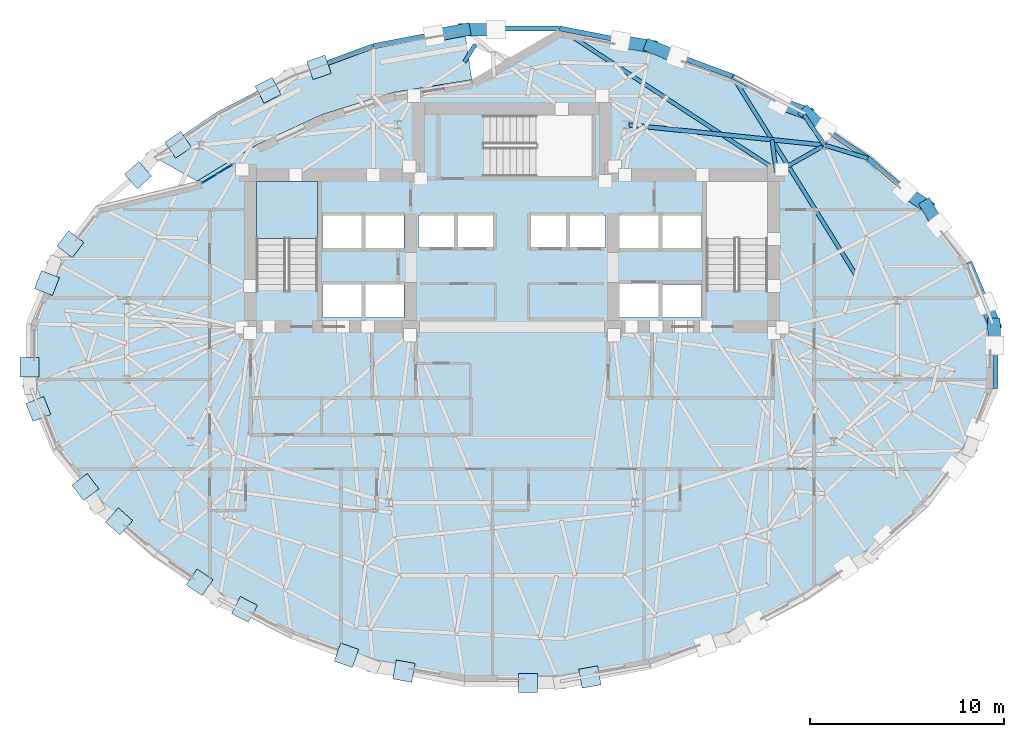
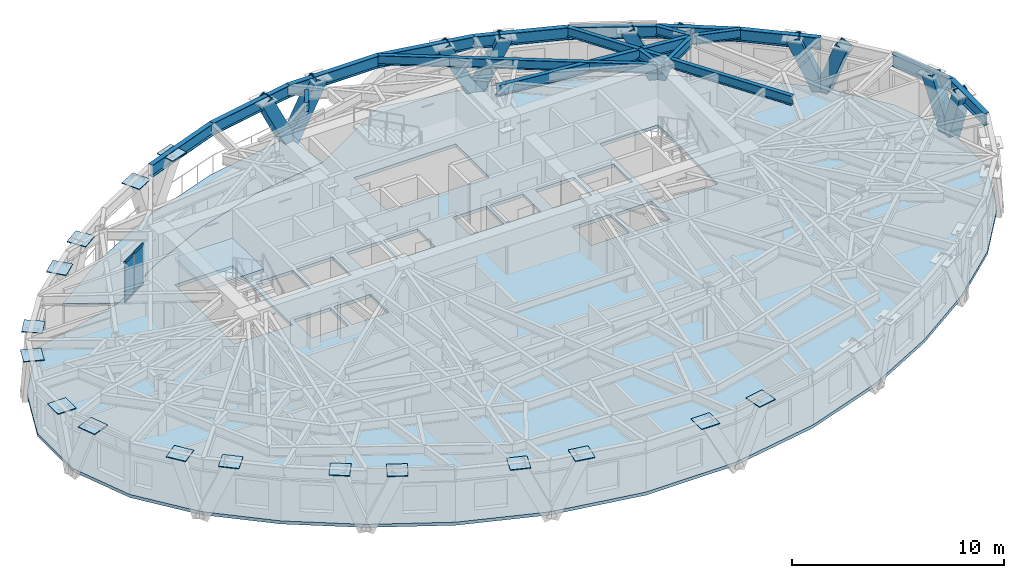
# One storey, part 5 of 14: 18 beams, 18 plates, 14 members, 3 slabs, 2 elements without a shape of their own.
"""IFC4 building model written with IfcOpenShell, lengths in metres."""

import ifcopenshell
import ifcopenshell.guid

model = None  # the IFC model being written
_history = None  # IfcOwnerHistory: only IFC2X3 demands one
_inside = {}  # id of a spatial element -> (the spatial element, [elements in it])
_under = {}  # id of a project, library or spatial element -> (it, [spatial elements below it])
_declared = {}  # id of a project -> (the project, [libraries it declares])
_typed = {}  # id of a type object -> (the type object, [elements of that type])
_made_of = {}  # id of a material, layer set ... -> (it, [elements and type objects made of it])


def new_model(schema):
    """Start an empty IFC model of exactly this schema.

    Asked for "IFC4X3", IfcOpenShell would pick the latest addendum, in which some entities
    have other attributes; the version numbers below select the first issue.
    IFC2X3 requires an IfcOwnerHistory on every rooted entity: one is made here for all.
    """
    global model, _history
    if schema == "IFC4X3":
        model = ifcopenshell.file(schema_version=(4, 3, 0, 0))
    else:
        model = ifcopenshell.file(schema=schema)
    _inside.clear()
    _under.clear()
    _declared.clear()
    _typed.clear()
    _made_of.clear()
    _history = None
    if model.schema == "IFC2X3":
        org = make("IfcOrganization", Name="unknown")
        user = make(
            "IfcPersonAndOrganization",
            ThePerson=make("IfcPerson", FamilyName="unknown"),
            TheOrganization=org,
        )
        app = make(
            "IfcApplication",
            ApplicationDeveloper=org,
            Version="unknown",
            ApplicationFullName="unknown",
            ApplicationIdentifier="unknown",
        )
        _history = make(
            "IfcOwnerHistory",
            OwningUser=user,
            OwningApplication=app,
            ChangeAction="ADDED",
            CreationDate=0,
        )
    return model


def make(cls, **values):
    """One entity of the class cls with the attributes given. An attribute that is None is left unset."""
    return model.create_entity(
        cls, **{name: value for name, value in values.items() if value is not None}
    )


def rooted(cls, **values):
    """An entity with a GlobalId (a new one), such as an element, a storey or a relation."""
    return make(cls, GlobalId=ifcopenshell.guid.new(), OwnerHistory=_history, **values)


def si_unit(unit_type, name, prefix=None):
    """IfcSIUnit, for example si_unit("LENGTHUNIT", "METRE", prefix="MILLI")."""
    return make("IfcSIUnit", UnitType=unit_type, Prefix=prefix, Name=name)


def assignment(units):
    """IfcUnitAssignment: the units of a project."""
    return None if units is None else make("IfcUnitAssignment", Units=units)


def point(xyz):
    """IfcCartesianPoint."""
    return None if xyz is None else make("IfcCartesianPoint", Coordinates=xyz)


def direction(xyz):
    """IfcDirection."""
    return None if xyz is None else make("IfcDirection", DirectionRatios=xyz)


def frame(location, z_axis=None, x_axis=None):
    """IfcAxis2Placement3D, a coordinate frame: its origin and axes. An axis left out is left unset."""
    return make(
        "IfcAxis2Placement3D",
        Location=point(location),
        Axis=direction(z_axis),
        RefDirection=direction(x_axis),
    )


def frame_2d(location, x_axis=None):
    """IfcAxis2Placement2D, a coordinate frame in the plane: its origin and x axis."""
    return make(
        "IfcAxis2Placement2D", Location=point(location), RefDirection=direction(x_axis)
    )


def origin():
    """The frame at (0, 0, 0) with its axes left unset."""
    return frame((0.0, 0.0, 0.0))


def origin_2d():
    """The frame at (0, 0) in the plane with its x axis left unset."""
    return frame_2d((0.0, 0.0))


def place(relative_to, where):
    """IfcLocalPlacement: puts the frame where relative to a parent placement (None: the world)."""
    return make(
        "IfcLocalPlacement", PlacementRelTo=relative_to, RelativePlacement=where
    )


def context(
    kind, dimensions, precision=None, world=None, true_north=None, identifier=None
):
    """IfcGeometricRepresentationContext, for example the 3D "Model" context."""
    return make(
        "IfcGeometricRepresentationContext",
        ContextIdentifier=identifier,
        ContextType=kind,
        CoordinateSpaceDimension=dimensions,
        Precision=precision,
        WorldCoordinateSystem=world,
        TrueNorth=true_north,
    )


def subcontext(parent, identifier, kind, view, scale=None):
    """IfcGeometricRepresentationSubContext, for example "Body" below "Model"."""
    return make(
        "IfcGeometricRepresentationSubContext",
        ContextIdentifier=identifier,
        ContextType=kind,
        ParentContext=parent,
        TargetScale=scale,
        TargetView=view,
    )


def project(units=None, contexts=None):
    """IfcProject with its units and contexts."""
    return rooted(
        "IfcProject",
        Name="project",
        RepresentationContexts=contexts,
        UnitsInContext=assignment(units),
    )


def spatial(cls, under=None, at=None, **own):
    """A site, building, storey or space (cls), placed at a placement, below another one or the project."""
    s = rooted(cls, ObjectPlacement=at, **own)
    if under is not None:
        _under.setdefault(under.id(), (under, []))[1].append(s)
    return s


def polyline(points):
    """IfcPolyline through the points."""
    return make("IfcPolyline", Points=[point(p) for p in points])


def profile(cls, at=None, kind="AREA", **sizes):
    """A parametric profile (cls). Its sizes go by their IFC names, for example OverallWidth=200.0."""
    return make(cls, ProfileType=kind, Position=at, **sizes)


def rectangle(**sizes):
    """IfcRectangleProfileDef."""
    return profile("IfcRectangleProfileDef", **sizes)


def hollow_rectangle(**sizes):
    """IfcRectangleHollowProfileDef."""
    return profile("IfcRectangleHollowProfileDef", **sizes)


def i_section(**sizes):
    """IfcIShapeProfileDef."""
    return profile("IfcIShapeProfileDef", **sizes)


def outline(outer, holes=None, kind="AREA"):
    """IfcArbitraryClosedProfileDef: a profile drawn as a closed curve; with holes, ...WithVoids."""
    if holes is None:
        return make("IfcArbitraryClosedProfileDef", ProfileType=kind, OuterCurve=outer)
    return make(
        "IfcArbitraryProfileDefWithVoids",
        ProfileType=kind,
        OuterCurve=outer,
        InnerCurves=holes,
    )


def extrude(swept, where, along, depth):
    """IfcExtrudedAreaSolid: the profile swept, set in the frame where, extruded along a direction by depth."""
    return make(
        "IfcExtrudedAreaSolid",
        SweptArea=swept,
        Position=where,
        ExtrudedDirection=direction(along),
        Depth=depth,
    )


def shape(context_of_items, identifier, shape_type, items):
    """IfcShapeRepresentation: the items that make up one representation, for example the "Body"."""
    return make(
        "IfcShapeRepresentation",
        ContextOfItems=context_of_items,
        RepresentationIdentifier=identifier,
        RepresentationType=shape_type,
        Items=items,
    )


def material(Name=None, Category=None):
    """IfcMaterial."""
    return make("IfcMaterial", Name=Name, Category=Category)


def layer(
    of_material, thickness, ventilated=None, Name=None, Category=None, Priority=None
):
    """IfcMaterialLayer: one layer of a wall or slab, of a material (None: an air gap)."""
    return make(
        "IfcMaterialLayer",
        Material=of_material,
        LayerThickness=thickness,
        IsVentilated=ventilated,
        Name=Name,
        Category=Category,
        Priority=Priority,
    )


def layer_set(layers, Name=None):
    """IfcMaterialLayerSet."""
    return make("IfcMaterialLayerSet", MaterialLayers=layers, LayerSetName=Name)


def material_profile(
    of_material, cross_section, Name=None, Category=None, Priority=None
):
    """IfcMaterialProfile: a cross section and its material."""
    return make(
        "IfcMaterialProfile",
        Name=Name,
        Material=of_material,
        Profile=cross_section,
        Priority=Priority,
        Category=Category,
    )


def profile_set(profiles, Name=None, composite=None):
    """IfcMaterialProfileSet."""
    return make(
        "IfcMaterialProfileSet",
        Name=Name,
        MaterialProfiles=profiles,
        CompositeProfile=composite,
    )


def made_of(thing, what):
    """Note that an element or type object is made of a material, layer set ...; save() writes the relation."""
    if what is not None:
        _made_of.setdefault(what.id(), (what, []))[1].append(thing)
    return thing


def type_object(cls, material=None, **own):
    """A type object (cls), such as IfcWallType, which elements share."""
    return made_of(rooted(cls, **own), material)


def element(
    cls,
    number,
    at=None,
    inside=None,
    cuts=None,
    type_object=None,
    material=None,
    context=None,
    identifier="Body",
    shape_type=None,
    held_by="IfcProductDefinitionShape",
    body=None,
    shapes=None,
    **own,
):
    """One element of the class cls, such as IfcWall. Its Tag is "e" and its number.

    at: its placement. inside: the storey or other place that contains it. cuts: it is an
    opening in that element (IfcRelVoidsElement). A single representation is given by context,
    identifier, shape_type and body (its items); several are given by shapes. held_by: the class
    of the entity that holds the representations. save() writes the other relations.
    """
    e = rooted(cls, Tag="e%d" % number, ObjectPlacement=at, **own)
    if body is not None:
        shapes = [shape(context, identifier, shape_type, body)]
    if shapes is not None:
        e.Representation = make(held_by, Representations=shapes)
    if inside is not None:
        _inside.setdefault(inside.id(), (inside, []))[1].append(e)
    if cuts is not None:
        rooted(
            "IfcRelVoidsElement", RelatingBuildingElement=cuts, RelatedOpeningElement=e
        )
    if type_object is not None:
        _typed.setdefault(type_object.id(), (type_object, []))[1].append(e)
    return made_of(e, material)


def aggregate(whole, parts):
    """IfcRelAggregates: a whole, such as a stair, and the parts it consists of."""
    return rooted("IfcRelAggregates", RelatingObject=whole, RelatedObjects=parts)


def save(model, path):
    """Write the relations noted so far, then the file.

    IfcRelAggregates (storeys below a building ...), IfcRelContainedInSpatialStructure (elements
    in a storey), IfcRelDefinesByType, IfcRelAssociatesMaterial and IfcRelDeclares: one each for
    every whole, place, type object, material and project.
    """
    for whole, parts in _under.values():
        aggregate(whole, parts)
    for where, things in _inside.values():
        rooted(
            "IfcRelContainedInSpatialStructure",
            RelatedElements=things,
            RelatingStructure=where,
        )
    for kind, things in _typed.values():
        rooted("IfcRelDefinesByType", RelatedObjects=things, RelatingType=kind)
    for what, things in _made_of.values():
        rooted("IfcRelAssociatesMaterial", RelatedObjects=things, RelatingMaterial=what)
    for by, libraries in _declared.values():
        rooted("IfcRelDeclares", RelatingContext=by, RelatedDefinitions=libraries)
    model.write(path)


model = new_model("IFC4")

# Units and contexts
model_context = context("Model", 3, precision=1e-05, world=origin(), true_north=direction((0.0, 1.0)))
body_context = subcontext(model_context, "Body", "Model", "MODEL_VIEW")
ifc_project = project(units=[si_unit("LENGTHUNIT", "METRE"), si_unit("AREAUNIT", "SQUARE_METRE"), si_unit("VOLUMEUNIT", "CUBIC_METRE"), si_unit("PLANEANGLEUNIT", "RADIAN"), si_unit("MASSUNIT", "GRAM", prefix="KILO")], contexts=[model_context])

# Site, building, storey
site_placement = place(None, origin())
site = spatial("IfcSite", under=ifc_project, at=site_placement, CompositionType="ELEMENT")
building_placement = place(site_placement, origin())
building = spatial("IfcBuilding", under=site, at=building_placement, Name="Keldmark Tower", CompositionType="ELEMENT")
storey_placement = place(building_placement, frame((0.0, 0.0, 175.800048828125)))
storey = spatial("IfcBuildingStorey", under=building, at=storey_placement, Name="L48", CompositionType="ELEMENT", Elevation=175.800048828125)

# Curtain wall, members
ifc_material_1 = material(Name="Unitized Thermally Broken Aluminum and Triple Low-E Glazing", Category="aluminium")
ifc_layer_1 = layer(ifc_material_1, 0.219970703125)
ifc_layer_set_1 = layer_set([ifc_layer_1], Name="Unitized Thermally Broken Aluminum and Triple Low-E Glazing")
curtain_wall_type = type_object("IfcCurtainWallType", Name="Spiralling Sky-Garden Feature Curtain Wall System", PredefinedType="NOTDEFINED", material=ifc_layer_set_1)
curtain_wall_placement = place(storey_placement, origin())
curtain_wall = element("IfcCurtainWall", 1, at=curtain_wall_placement, inside=storey, type_object=curtain_wall_type, Name="L48 Spiralling Sky-Garden Feature Curtain Wall System CW-L48-12", PredefinedType="NOTDEFINED")
ifc_material_2 = material(Name="Extruded Aluminum Alloy 6063-T6", Category="aluminium")
ifc_material_profile_1 = material_profile(ifc_material_2, rectangle(XDim=0.06005859375, YDim=0.139892578125, at=origin_2d()), Name="CWT60X140")
ifc_profile_set_1 = profile_set([ifc_material_profile_1], Name="Extruded Aluminum Alloy 6063-T6")
member_type_1 = type_object("IfcMemberType", Name="Curtain Wall Horizontal Transom 60x140", PredefinedType="USERDEFINED", material=ifc_profile_set_1)
member_1_placement = place(storey_placement, frame((-15.91552734375, 8.928955078125, 0.030029296875), z_axis=(0.854619298565, 0.519255095805, 0.0), x_axis=(-0.519255095805, 0.854619298565, 0.0)))
member_1 = element("IfcMember", 2, at=member_1_placement, type_object=member_type_1, Name="CW transom 1.1", ObjectType="TRANSOM", PredefinedType="USERDEFINED", context=body_context, shape_type="SweptSolid", body=[
    extrude(rectangle(XDim=0.06005859375, YDim=0.139892578125, at=origin_2d()), origin(), (0.0, 0.0, 1.0), 0.85107421875),
])
member_2_placement = place(storey_placement, frame((-15.91552734375, 8.928955078125, 2.284912109375), z_axis=(0.854619298565, 0.519255095805, 0.0), x_axis=(-0.519255095805, 0.854619298565, 0.0)))
member_2 = element("IfcMember", 3, at=member_2_placement, type_object=member_type_1, Name="CW transom 1.2", ObjectType="TRANSOM", PredefinedType="USERDEFINED", context=body_context, shape_type="SweptSolid", body=[
    extrude(rectangle(XDim=0.06005859375, YDim=0.139892578125, at=origin_2d()), origin(), (0.0, 0.0, 1.0), 0.85107421875),
])
member_3_placement = place(storey_placement, frame((-15.136962890625, 9.40185546875, 0.030029296875), z_axis=(0.854619298565, 0.519255095805, 0.0), x_axis=(-0.519255095805, 0.854619298565, 0.0)))
member_3 = element("IfcMember", 4, at=member_3_placement, type_object=member_type_1, Name="CW transom 2.1", ObjectType="TRANSOM", PredefinedType="USERDEFINED", context=body_context, shape_type="SweptSolid", body=[
    extrude(rectangle(XDim=0.06005859375, YDim=0.139892578125, at=origin_2d()), origin(), (0.0, 0.0, 1.0), 0.85107421875),
])
member_4_placement = place(storey_placement, frame((-15.136962890625, 9.40185546875, 2.284912109375), z_axis=(0.854619298565, 0.519255095805, 0.0), x_axis=(-0.519255095805, 0.854619298565, 0.0)))
member_4 = element("IfcMember", 5, at=member_4_placement, type_object=member_type_1, Name="CW transom 2.2", ObjectType="TRANSOM", PredefinedType="USERDEFINED", context=body_context, shape_type="SweptSolid", body=[
    extrude(rectangle(XDim=0.06005859375, YDim=0.139892578125, at=origin_2d()), origin(), (0.0, 0.0, 1.0), 0.85107421875),
])

# Members
ifc_material_3 = material(Name="Steel ASTM A572 Grade 50", Category="steel")
ifc_material_profile_2 = material_profile(ifc_material_3, hollow_rectangle(XDim=0.64990234375, YDim=0.64990234375, WallThickness=0.0400390625, at=origin_2d()), Name="BOX650X650X40")
ifc_profile_set_2 = profile_set([ifc_material_profile_2], Name="Steel ASTM A572 Grade 50")
member_type_2 = type_object("IfcMemberType", Name="Diagrid Zone 3 Brace BOX650X650X40", PredefinedType="BRACE", material=ifc_profile_set_2)
member_5_placement = place(storey_placement, frame((24.7958984375, 1.653564453125, -0.260009765625), z_axis=(-0.126271665674, 0.315897124482, 0.940353376764), x_axis=(-0.928565034842, -0.371169740238, 0.0)))
element("IfcMember", 6, at=member_5_placement, inside=storey, type_object=member_type_2, Name="L48 Perimeter Diagrid Brace 01A", PredefinedType="BRACE", context=body_context, shape_type="SweptSolid", body=[
    extrude(hollow_rectangle(XDim=0.64990234375, YDim=0.64990234375, WallThickness=0.0400390625, at=origin_2d()), origin(), (0.0, 0.0, 1.0), 3.3603515625),
])
member_6_placement = place(storey_placement, frame((21.343017578125, 7.73681640625, -0.260009765625), z_axis=(0.179834948467, -0.2993629275, 0.937038541869), x_axis=(0.857218425589, 0.514952979242, 0.0)))
element("IfcMember", 7, at=member_6_placement, inside=storey, type_object=member_type_2, Name="L48 Perimeter Diagrid Brace 01B", PredefinedType="BRACE", context=body_context, shape_type="SweptSolid", body=[
    extrude(hollow_rectangle(XDim=0.64990234375, YDim=0.64990234375, WallThickness=0.0400390625, at=origin_2d()), origin(), (0.0, 0.0, 1.0), 3.372314453125),
])
member_7_placement = place(storey_placement, frame((21.347412109375, 7.72607421875, -0.260009765625), z_axis=(-0.329891154816, 0.224036905397, 0.917049230409), x_axis=(-0.561814213615, -0.827263434089, 0.0)))
element("IfcMember", 8, at=member_7_placement, inside=storey, type_object=member_type_2, Name="L48 Perimeter Diagrid Brace 02A", PredefinedType="BRACE", context=body_context, shape_type="SweptSolid", body=[
    extrude(hollow_rectangle(XDim=0.64990234375, YDim=0.64990234375, WallThickness=0.0400390625, at=origin_2d()), origin(), (0.0, 0.0, 1.0), 3.44580078125),
])
member_8_placement = place(storey_placement, frame((15.149658203125, 12.51416015625, -0.260009765625), z_axis=(0.270898931054, -0.259080230995, 0.927087484039), x_axis=(0.6911662417, 0.722695804841, 0.0)))
element("IfcMember", 9, at=member_8_placement, inside=storey, type_object=member_type_2, Name="L48 Perimeter Diagrid Brace 02B", PredefinedType="BRACE", context=body_context, shape_type="SweptSolid", body=[
    extrude(hollow_rectangle(XDim=0.64990234375, YDim=0.64990234375, WallThickness=0.0400390625, at=origin_2d()), origin(), (0.0, 0.0, 1.0), 3.408447265625),
])
member_9_placement = place(storey_placement, frame((15.157958984375, 12.505859375, -0.260009765625), z_axis=(-0.399279775815, 0.149354258868, 0.90458220521), x_axis=(-0.350350758681, -0.936618570119, 0.0)))
element("IfcMember", 10, at=member_9_placement, inside=storey, type_object=member_type_2, Name="L48 Perimeter Diagrid Brace 03A", PredefinedType="BRACE", context=body_context, shape_type="SweptSolid", body=[
    extrude(hollow_rectangle(XDim=0.64990234375, YDim=0.64990234375, WallThickness=0.0400390625, at=origin_2d()), origin(), (0.0, 0.0, 1.0), 3.4931640625),
])
member_10_placement = place(storey_placement, frame((7.131103515625, 15.947021484375, -0.260009765625), z_axis=(0.396275114134, -0.160772878522, 0.903945858694), x_axis=(0.375947709667, 0.926640879519, 0.0)))
element("IfcMember", 11, at=member_10_placement, inside=storey, type_object=member_type_2, Name="L48 Perimeter Diagrid Brace 03B", PredefinedType="BRACE", context=body_context, shape_type="SweptSolid", body=[
    extrude(hollow_rectangle(XDim=0.64990234375, YDim=0.64990234375, WallThickness=0.0400390625, at=origin_2d()), origin(), (0.0, 0.0, 1.0), 3.49560546875),
])
member_11_placement = place(storey_placement, frame((7.14208984375, 15.9423828125, -0.260009765625), z_axis=(-0.446588998509, 0.0733061855, 0.891731164409), x_axis=(-0.161979173722, -0.986794176756, 0.0)))
element("IfcMember", 12, at=member_11_placement, inside=storey, type_object=member_type_2, Name="L48 Perimeter Diagrid Brace 04A", PredefinedType="BRACE", context=body_context, shape_type="SweptSolid", body=[
    extrude(hollow_rectangle(XDim=0.64990234375, YDim=0.64990234375, WallThickness=0.0400390625, at=origin_2d()), origin(), (0.0, 0.0, 1.0), 3.54345703125),
])
member_12_placement = place(storey_placement, frame((-2.4541015625, 16.7900390625, -0.260009765625), z_axis=(0.458733059239, 0.004325079726, 0.888563601576), x_axis=(-0.009427895848, 0.999955556402, 0.0)))
element("IfcMember", 13, at=member_12_placement, inside=storey, type_object=member_type_2, Name="L48 Perimeter Diagrid Brace 04B", PredefinedType="BRACE", context=body_context, shape_type="SweptSolid", body=[
    extrude(hollow_rectangle(XDim=0.64990234375, YDim=0.64990234375, WallThickness=0.0400390625, at=origin_2d()), origin(), (0.0, 0.0, 1.0), 3.55615234375),
])
member_13_placement = place(storey_placement, frame((-2.442138671875, 16.7900390625, -0.260009765625), z_axis=(-0.442504121527, -0.081214307038, 0.89308137298), x_axis=(0.18051829183, -0.983571627445, 0.0)))
element("IfcMember", 14, at=member_13_placement, inside=storey, type_object=member_type_2, Name="L48 Perimeter Diagrid Brace 05A", PredefinedType="BRACE", context=body_context, shape_type="SweptSolid", body=[
    extrude(hollow_rectangle(XDim=0.64990234375, YDim=0.64990234375, WallThickness=0.0400390625, at=origin_2d()), origin(), (0.0, 0.0, 1.0), 3.538330078125),
])
member_14_placement = place(storey_placement, frame((24.7958984375, 1.665283203125, -0.260009765625), z_axis=(0.006709048193, -0.330274774631, 0.943860986541), x_axis=(0.999793743978, 0.020309345208, 0.0)))
element("IfcMember", 15, at=member_14_placement, inside=storey, type_object=member_type_2, Name="L48 Perimeter Diagrid Brace 16B", PredefinedType="BRACE", context=body_context, shape_type="SweptSolid", body=[
    extrude(hollow_rectangle(XDim=0.64990234375, YDim=0.64990234375, WallThickness=0.0400390625, at=origin_2d()), origin(), (0.0, 0.0, 1.0), 3.347900390625),
])

# Beams
ifc_material_4 = material(Name="Steel ASTM A992 Grade 50", Category="steel")
ifc_material_profile_3 = material_profile(ifc_material_4, i_section(OverallWidth=0.22900390625, OverallDepth=0.612060546875, WebThickness=0.011962890625, FlangeThickness=0.01953125, at=origin_2d()), Name="W24X84")
ifc_profile_set_3 = profile_set([ifc_material_profile_3], Name="Steel ASTM A992 Grade 50")
beam_type_1 = type_object("IfcBeamType", Name="Primary Floor Girder W24X84", PredefinedType="BEAM", material=ifc_profile_set_3)
beam_1_placement = place(storey_placement, frame((15.942138671875, 10.87548828125, 2.7138671875), z_axis=(-0.994702930931, 0.102791435423, 0.0), x_axis=(-0.102791435423, -0.994702930931, 0.0)))
element("IfcBeam", 16, at=beam_1_placement, inside=storey, type_object=beam_type_1, Name="L48 Floor Ring Girder FG-R02", PredefinedType="BEAM", context=body_context, shape_type="SweptSolid", body=[
    extrude(i_section(OverallWidth=0.22900390625, OverallDepth=0.612060546875, WebThickness=0.011962890625, FlangeThickness=0.01953125, at=origin_2d()), origin(), (0.0, 0.0, 1.0), 9.975341796875),
])
ifc_material_5 = material(Name="Steel ASTM A992 Grade 50", Category="steel")
ifc_material_profile_4 = material_profile(ifc_material_5, i_section(OverallWidth=0.2099609375, OverallDepth=0.537109375, WebThickness=0.010986328125, FlangeThickness=0.017333984375, at=origin_2d()), Name="W21X68")
ifc_profile_set_4 = profile_set([ifc_material_profile_4], Name="Steel ASTM A992 Grade 50")
beam_type_2 = type_object("IfcBeamType", Name="Radial Tie Girder W21X68", PredefinedType="BEAM", material=ifc_profile_set_4)
beam_2_placement = place(storey_placement, frame((15.959716796875, 10.791748046875, 2.75146484375), z_axis=(-0.86929527307, -0.494293160197, 0.0), x_axis=(0.494293160197, -0.86929527307, 0.0)))
element("IfcBeam", 17, at=beam_2_placement, inside=storey, type_object=beam_type_2, Name="L48 Floor Radial Girder FG-C02", PredefinedType="BEAM", context=body_context, shape_type="SweptSolid", body=[
    extrude(i_section(OverallWidth=0.2099609375, OverallDepth=0.537109375, WebThickness=0.010986328125, FlangeThickness=0.017333984375, at=origin_2d()), origin(), (0.0, 0.0, 1.0), 2.39453125),
])
beam_3_placement = place(storey_placement, frame((16.08154296875, 10.861083984375, 2.75146484375), z_axis=(0.956926395246, -0.290330628908, 0.0), x_axis=(0.290330628908, 0.956926395246, 0.0)))
element("IfcBeam", 18, at=beam_3_placement, inside=storey, type_object=beam_type_2, Name="L48 Perimeter Column Bracket RT-04", PredefinedType="BEAM", context=body_context, shape_type="SweptSolid", body=[
    extrude(i_section(OverallWidth=0.2099609375, OverallDepth=0.537109375, WebThickness=0.010986328125, FlangeThickness=0.017333984375, at=origin_2d()), origin(), (0.0, 0.0, 1.0), 2.326904296875),
])
beam_4_placement = place(storey_placement, frame((16.08154296875, 10.861083984375, 2.75146484375), z_axis=(-0.563260094583, 0.826279653537, 0.0), x_axis=(-0.826279653537, -0.563260094583, 0.0)))
element("IfcBeam", 19, at=beam_4_placement, inside=storey, type_object=beam_type_2, Name="L48 Perimeter Column Bracket RT-05", PredefinedType="BEAM", context=body_context, shape_type="SweptSolid", body=[
    extrude(i_section(OverallWidth=0.2099609375, OverallDepth=0.537109375, WebThickness=0.010986328125, FlangeThickness=0.017333984375, at=origin_2d()), origin(), (0.0, 0.0, 1.0), 1.8759765625),
])
beam_5_placement = place(storey_placement, frame((13.60009765625, 9.449951171875, 2.75146484375), z_axis=(-0.131554216601, 0.991308977108, 0.0), x_axis=(-0.991308977108, -0.131554216601, 0.0)))
element("IfcBeam", 20, at=beam_5_placement, inside=storey, type_object=beam_type_2, Name="L48 Framing Pin Header PH-017", PredefinedType="BEAM", context=body_context, shape_type="SweptSolid", body=[
    extrude(i_section(OverallWidth=0.2099609375, OverallDepth=0.537109375, WebThickness=0.010986328125, FlangeThickness=0.017333984375, at=origin_2d()), origin(), (0.0, 0.0, 1.0), 1.70556640625),
])
beam_6_placement = place(storey_placement, frame((17.69140625, 4.184814453125, 2.75146484375), z_axis=(-0.527206637602, 0.849737113035, 0.0), x_axis=(-0.849737113035, -0.527206637602, 0.0)))
element("IfcBeam", 21, at=beam_6_placement, inside=storey, type_object=beam_type_2, Name="L48 Perimeter Radial Tie Girder RT-06", PredefinedType="BEAM", context=body_context, shape_type="SweptSolid", body=[
    extrude(i_section(OverallWidth=0.2099609375, OverallDepth=0.537109375, WebThickness=0.010986328125, FlangeThickness=0.017333984375, at=origin_2d()), origin(), (0.0, 0.0, 1.0), 12.021240234375),
])
beam_7_placement = place(storey_placement, frame((13.47509765625, 9.64990234375, 2.75146484375), z_axis=(-0.836743658694, 0.547594785982, 0.0), x_axis=(-0.547594785982, -0.836743658694, 0.0)))
element("IfcBeam", 22, at=beam_7_placement, inside=storey, type_object=beam_type_2, Name="L48 Perimeter Radial Tie Girder RT-08", PredefinedType="BEAM", context=body_context, shape_type="SweptSolid", body=[
    extrude(i_section(OverallWidth=0.2099609375, OverallDepth=0.537109375, WebThickness=0.010986328125, FlangeThickness=0.017333984375, at=origin_2d()), origin(), (0.0, 0.0, 1.0), 13.176025390625),
])
beam_8_placement = place(storey_placement, frame((-1.900390625, 16.033447265625, 2.75146484375), z_axis=(-0.521047521878, -0.853527667943, 0.0), x_axis=(0.853527667943, -0.521047521878, 0.0)))
element("IfcBeam", 23, at=beam_8_placement, inside=storey, type_object=beam_type_2, Name="L48 Crown Step Collector Chord RT-09RP2", PredefinedType="BEAM", context=body_context, shape_type="SweptSolid", body=[
    extrude(i_section(OverallWidth=0.2099609375, OverallDepth=0.537109375, WebThickness=0.010986328125, FlangeThickness=0.017333984375, at=origin_2d()), origin(), (0.0, 0.0, 1.0), 1.05517578125),
])
ifc_material_6 = material(Name="Steel ASTM A992 Grade 50", Category="steel")
ifc_material_profile_5 = material_profile(ifc_material_6, i_section(OverallWidth=0.256103515625, OverallDepth=0.693115234375, WebThickness=0.014404296875, FlangeThickness=0.023681640625, at=origin_2d()), Name="W27X114")
ifc_profile_set_5 = profile_set([ifc_material_profile_5], Name="Steel ASTM A992 Grade 50")
beam_type_3 = type_object("IfcBeamType", Name="Spandrel Ring Beam W27X114", PredefinedType="SPANDREL", material=ifc_profile_set_5)
beam_9_placement = place(storey_placement, frame((24.8779296875, 1.6611328125, 2.67333984375), z_axis=(-0.388360687569, 0.9215074478, 0.0), x_axis=(-0.9215074478, -0.388360687569, 0.0)))
element("IfcBeam", 24, at=beam_9_placement, inside=storey, type_object=beam_type_3, Name="L48 Perimeter Spandrel Ring Beam SRB-01", PredefinedType="SPANDREL", context=body_context, shape_type="SweptSolid", body=[
    extrude(i_section(OverallWidth=0.256103515625, OverallDepth=0.693115234375, WebThickness=0.014404296875, FlangeThickness=0.023681640625, at=origin_2d()), origin(), (0.0, 0.0, 1.0), 3.449951171875),
])
beam_10_placement = place(storey_placement, frame((21.2412109375, 7.69677734375, 2.67333984375), z_axis=(-0.762499647343, 0.646988630349, 0.0), x_axis=(-0.646988630349, -0.762499647343, 0.0)))
element("IfcBeam", 25, at=beam_10_placement, inside=storey, type_object=beam_type_3, Name="L48 Perimeter Spandrel Ring Beam SRB-03", PredefinedType="SPANDREL", context=body_context, shape_type="SweptSolid", body=[
    extrude(i_section(OverallWidth=0.256103515625, OverallDepth=0.693115234375, WebThickness=0.014404296875, FlangeThickness=0.023681640625, at=origin_2d()), origin(), (0.0, 0.0, 1.0), 3.8466796875),
])
beam_11_placement = place(storey_placement, frame((18.30810546875, 10.185546875, 2.67333984375), z_axis=(-0.827745323175, 0.561103983199, 0.0), x_axis=(-0.561103983199, -0.827745323175, 0.0)))
element("IfcBeam", 26, at=beam_11_placement, inside=storey, type_object=beam_type_3, Name="L48 Perimeter Spandrel Ring Beam SRB-04", PredefinedType="SPANDREL", context=body_context, shape_type="SweptSolid", body=[
    extrude(i_section(OverallWidth=0.256103515625, OverallDepth=0.693115234375, WebThickness=0.014404296875, FlangeThickness=0.023681640625, at=origin_2d()), origin(), (0.0, 0.0, 1.0), 3.966552734375),
])
beam_12_placement = place(storey_placement, frame((15.02490234375, 12.4111328125, 2.67333984375), z_axis=(-0.879292986909, 0.476281264772, 0.0), x_axis=(-0.476281264772, -0.879292986909, 0.0)))
element("IfcBeam", 27, at=beam_12_placement, inside=storey, type_object=beam_type_3, Name="L48 Perimeter Spandrel Ring Beam SRB-05", PredefinedType="SPANDREL", context=body_context, shape_type="SweptSolid", body=[
    extrude(i_section(OverallWidth=0.256103515625, OverallDepth=0.693115234375, WebThickness=0.014404296875, FlangeThickness=0.023681640625, at=origin_2d()), origin(), (0.0, 0.0, 1.0), 4.175048828125),
])
beam_13_placement = place(storey_placement, frame((11.353759765625, 14.399658203125, 2.67333984375), z_axis=(-0.938000261219, 0.346634548123, 0.0), x_axis=(-0.346634548123, -0.938000261219, 0.0)))
element("IfcBeam", 28, at=beam_13_placement, inside=storey, type_object=beam_type_3, Name="L48 Perimeter Spandrel Ring Beam SRB-06", PredefinedType="SPANDREL", context=body_context, shape_type="SweptSolid", body=[
    extrude(i_section(OverallWidth=0.256103515625, OverallDepth=0.693115234375, WebThickness=0.014404296875, FlangeThickness=0.023681640625, at=origin_2d()), origin(), (0.0, 0.0, 1.0), 4.4921875),
])
beam_14_placement = place(storey_placement, frame((7.14013671875, 15.956787109375, 2.67333984375), z_axis=(-0.981761392156, 0.190117250329, 0.0), x_axis=(-0.190117250329, -0.981761392156, 0.0)))
element("IfcBeam", 29, at=beam_14_placement, inside=storey, type_object=beam_type_3, Name="L48 Perimeter Spandrel Ring Beam SRB-07", PredefinedType="SPANDREL", context=body_context, shape_type="SweptSolid", body=[
    extrude(i_section(OverallWidth=0.256103515625, OverallDepth=0.693115234375, WebThickness=0.014404296875, FlangeThickness=0.023681640625, at=origin_2d()), origin(), (0.0, 0.0, 1.0), 4.777099609375),
])
beam_15_placement = place(storey_placement, frame((2.4501953125, 16.864990234375, 2.67333984375), z_axis=(-1.0, 0.0, 0.0), x_axis=(0.0, -1.0, 0.0)))
element("IfcBeam", 30, at=beam_15_placement, inside=storey, type_object=beam_type_3, Name="L48 Perimeter Spandrel Ring Beam SRB-08", PredefinedType="SPANDREL", context=body_context, shape_type="SweptSolid", body=[
    extrude(i_section(OverallWidth=0.256103515625, OverallDepth=0.693115234375, WebThickness=0.014404296875, FlangeThickness=0.023681640625, at=origin_2d()), origin(), (0.0, 0.0, 1.0), 4.900390625),
])
beam_16_placement = place(storey_placement, frame((-2.4501953125, 16.864990234375, 2.67333984375), z_axis=(-0.981761392156, -0.190117250329, 0.0), x_axis=(0.190117250329, -0.981761392156, 0.0)))
element("IfcBeam", 31, at=beam_16_placement, inside=storey, type_object=beam_type_3, Name="L48 Perimeter Spandrel Ring Beam SRB-09", PredefinedType="SPANDREL", context=body_context, shape_type="SweptSolid", body=[
    extrude(i_section(OverallWidth=0.256103515625, OverallDepth=0.693115234375, WebThickness=0.014404296875, FlangeThickness=0.023681640625, at=origin_2d()), origin(), (0.0, 0.0, 1.0), 4.777099609375),
])
beam_17_placement = place(storey_placement, frame((-7.14013671875, 15.956787109375, 2.67333984375), z_axis=(-0.938000261219, -0.346634548123, 0.0), x_axis=(0.346634548123, -0.938000261219, 0.0)))
element("IfcBeam", 32, at=beam_17_placement, inside=storey, type_object=beam_type_3, Name="L48 Perimeter Spandrel Ring Beam SRB-10", PredefinedType="SPANDREL", context=body_context, shape_type="SweptSolid", body=[
    extrude(i_section(OverallWidth=0.256103515625, OverallDepth=0.693115234375, WebThickness=0.014404296875, FlangeThickness=0.023681640625, at=origin_2d()), origin(), (0.0, 0.0, 1.0), 4.4921875),
])
beam_18_placement = place(storey_placement, frame((24.8779296875, -1.6611328125, 2.67333984375), z_axis=(0.0, 1.0, 0.0), x_axis=(-1.0, 0.0, 0.0)))
element("IfcBeam", 33, at=beam_18_placement, inside=storey, type_object=beam_type_3, Name="L48 Perimeter Spandrel Ring Beam SRB-32", PredefinedType="SPANDREL", context=body_context, shape_type="SweptSolid", body=[
    extrude(i_section(OverallWidth=0.256103515625, OverallDepth=0.693115234375, WebThickness=0.014404296875, FlangeThickness=0.023681640625, at=origin_2d()), origin(), (0.0, 0.0, 1.0), 3.322265625),
])

# Plates
ifc_material_7 = material(Name="Steel ASTM A572 Grade 50", Category="steel")
ifc_layer_2 = layer(ifc_material_7, 0.044921875)
ifc_layer_set_2 = layer_set([ifc_layer_2], Name="Steel ASTM A572 Grade 50")
plate_type_1 = type_object("IfcPlateType", Name="Diagrid Node Assembly DN04 45 mm", PredefinedType="USERDEFINED", material=ifc_layer_set_2)
for number, where, z_axis, x_axis, name in (
    (34, (-9.931884765625, 14.861328125, 2.87744140625), (0.0, 0.0, 1.0), (-0.944204046619, -0.329361075947, 0.0), "L48 Diagrid Node Assembly 10"),
    (35, (-12.54931640625, 13.68408203125, 2.87744140625), (0.0, 0.0, 1.0), (-0.887091410004, -0.461593793608, 0.0), "L48 Diagrid Node Assembly 11"),
    (36, (-17.175537109375, 10.881103515625, 2.87744140625), (0.0, 0.0, 1.0), (-0.827766671236, -0.56107248907, 0.0), "L48 Diagrid Node Assembly 12"),
    (37, (-19.2392578125, 9.31787109375, 2.87744140625), (0.0, 0.0, 1.0), (-0.749533680611, -0.661966208828, 0.0), "L48 Diagrid Node Assembly 13"),
    (38, (-22.719482421875, 5.76416015625, 2.87744140625), (0.0, 0.0, 1.0), (-0.604599114862, -0.796529918024, 0.0), "L48 Diagrid Node Assembly 14"),
    (39, (-23.92724609375, 3.76318359375, 2.87744140625), (0.0, 0.0, 1.0), (-0.365364233984, -0.930864639207, 0.0), "L48 Diagrid Node Assembly 15"),
    (40, (-24.818359375, -0.5595703125, 2.87744140625), (0.0, 0.0, 1.0), (0.0, -1.0, 0.0), "L48 Diagrid Node Assembly 16"),
    (41, (-24.37158203125, -2.715087890625, 2.87744140625), (0.0, 0.0, 1.0), (0.365364233984, -0.930864639207, 0.0), "L48 Diagrid Node Assembly 17"),
    (42, (-21.949462890625, -6.727294921875, 2.87744140625), (0.0, 0.0, 1.0), (0.604599114862, -0.796529918024, 0.0), "L48 Diagrid Node Assembly 18"),
    (43, (-20.210693359375, -8.498046875, 2.87744140625), (0.0, 0.0, 1.0), (0.749533680611, -0.661966208828, 0.0), "L48 Diagrid Node Assembly 19"),
    (44, (-16.072998046875, -11.631103515625, 2.87744140625), (0.0, 0.0, 1.0), (0.827766671236, -0.56107248907, 0.0), "L48 Diagrid Node Assembly 20"),
    (45, (-13.76318359375, -13.027587890625, 2.87744140625), (0.0, 0.0, 1.0), (0.887091410004, -0.461593793608, 0.0), "L48 Diagrid Node Assembly 21"),
    (46, (-8.516357421875, -15.385009765625, 2.87744140625), (0.0, 0.0, 1.0), (0.944204046619, -0.329361075947, 0.0), "L48 Diagrid Node Assembly 22"),
    (47, (-5.5595703125, -16.2021484375, 2.87744140625), (0.0, 0.0, 1.0), (0.984102751709, -0.177600039637, 0.0), "L48 Diagrid Node Assembly 23"),
    (48, (0.82275390625, -16.805419921875, 2.87744140625), (0.0, 0.0, 1.0), (1.0, 0.0, 0.0), "L48 Diagrid Node Assembly 24"),
    (49, (4.0078125, -16.502685546875, 2.87744140625), (0.0, 0.0, 1.0), (0.984102751709, 0.177600039637, 0.0), "L48 Diagrid Node Assembly 25"),
):
    element("IfcPlate", number, at=place(storey_placement, frame(where, z_axis=z_axis, x_axis=x_axis)), inside=storey, type_object=plate_type_1, Name=name, ObjectType="GUSSET", PredefinedType="USERDEFINED", context=body_context, shape_type="SweptSolid", body=[
        extrude(rectangle(XDim=0.989990234375, YDim=0.989990234375, at=origin_2d()), origin(), (0.0, 0.0, 1.0), 0.044921875),
    ])

# Slabs
ifc_material_8 = material(Name="Concrete C35/45", Category="concrete")
ifc_layer_3 = layer(ifc_material_8, 0.179931640625)
ifc_layer_set_3 = layer_set([ifc_layer_3], Name="Concrete C35/45")
slab_type_1 = type_object("IfcSlabType", Name="Hotel and Residential Slab 180 mm", PredefinedType="FLOOR", material=ifc_layer_set_3)
slab_1_placement = place(storey_placement, frame((0.0, 0.0, -0.179931640625)))
element("IfcSlab", 50, at=slab_1_placement, inside=storey, type_object=slab_type_1, Name="L48 Composite Structural Floor Slab", PredefinedType="FLOOR", context=body_context, shape_type="SweptSolid", body=[
    extrude(outline(polyline([(24.855712890625, 1.659423828125), (23.601806640625, 4.853515625), (21.400390625, 7.75439453125), (18.516357421875, 10.301513671875), (15.196044921875, 12.55224609375), (11.438720703125, 14.50732421875), (7.159423828125, 15.999755859375), (2.447998046875, 16.849609375), (-2.067138671875, 14.227294921875), (-6.0771484375, 13.580810546875), (-9.7978515625, 12.426513671875), (-13.15283203125, 10.864501953125), (-16.20068359375, 9.01318359375), (-21.400390625, 7.75439453125), (-23.601806640625, 4.853515625), (-24.855712890625, 1.659423828125), (-24.855712890625, -1.659423828125), (-23.601806640625, -4.853515625), (-21.400390625, -7.75439453125), (-18.516357421875, -10.301513671875), (-15.196044921875, -12.55224609375), (-11.438720703125, -14.50732421875), (-7.159423828125, -15.999755859375), (-2.447998046875, -16.849609375), (2.447998046875, -16.849609375), (7.159423828125, -15.999755859375), (11.438720703125, -14.50732421875), (15.196044921875, -12.55224609375), (18.516357421875, -10.301513671875), (21.400390625, -7.75439453125), (23.601806640625, -4.853515625), (24.855712890625, -1.659423828125), (24.855712890625, 1.659423828125)]), holes=[polyline([(-10.0, 3.385009765625), (-10.0, 9.0), (-13.14990234375, 9.0), (-13.14990234375, 3.385009765625), (-10.0, 3.385009765625)]), polyline([(13.14990234375, 3.385009765625), (13.14990234375, 9.0), (10.0, 9.0), (10.0, 3.385009765625), (13.14990234375, 3.385009765625)]), polyline([(-1.43994140625, 9.25), (4.10498046875, 9.25), (4.10498046875, 12.39990234375), (-1.43994140625, 12.39990234375), (-1.43994140625, 9.25)]), polyline([(-9.75, 2.0), (-7.75, 2.0), (-7.75, 3.699951171875), (-9.75, 3.699951171875), (-9.75, 2.0)]), polyline([(7.75, 2.0), (9.75, 2.0), (9.75, 3.699951171875), (7.75, 3.699951171875), (7.75, 2.0)]), polyline([(5.449951171875, 2.0), (7.550048828125, 2.0), (7.550048828125, 3.75), (5.449951171875, 3.75), (5.449951171875, 2.0)]), polyline([(-4.800048828125, 5.60009765625), (-2.949951171875, 5.60009765625), (-2.949951171875, 7.25), (-4.800048828125, 7.25), (-4.800048828125, 5.60009765625)]), polyline([(-2.800048828125, 5.60009765625), (-0.949951171875, 5.60009765625), (-0.949951171875, 7.25), (-2.800048828125, 7.25), (-2.800048828125, 5.60009765625)]), polyline([(0.949951171875, 5.60009765625), (2.800048828125, 5.60009765625), (2.800048828125, 7.25), (0.949951171875, 7.25), (0.949951171875, 5.60009765625)]), polyline([(2.949951171875, 5.60009765625), (4.800048828125, 5.60009765625), (4.800048828125, 7.25), (2.949951171875, 7.25), (2.949951171875, 5.60009765625)]), polyline([(-9.75, 5.550048828125), (-7.75, 5.550048828125), (-7.75, 7.25), (-9.75, 7.25), (-9.75, 5.550048828125)]), polyline([(-7.550048828125, 5.550048828125), (-5.550048828125, 5.550048828125), (-5.550048828125, 7.25), (-7.550048828125, 7.25), (-7.550048828125, 5.550048828125)]), polyline([(-7.550048828125, 2.0), (-5.550048828125, 2.0), (-5.550048828125, 3.699951171875), (-7.550048828125, 3.699951171875), (-7.550048828125, 2.0)]), polyline([(5.449951171875, 5.550048828125), (7.550048828125, 5.550048828125), (7.550048828125, 7.25), (5.449951171875, 7.25), (5.449951171875, 5.550048828125)]), polyline([(7.75, 5.550048828125), (9.75, 5.550048828125), (9.75, 7.25), (7.75, 7.25), (7.75, 5.550048828125)])]), origin(), (0.0, 0.0, 1.0), 0.179931640625),
])
ifc_material_9 = material(Name="Concrete C35/45", Category="concrete")
ifc_layer_4 = layer(ifc_material_9, 0.1650390625)
ifc_layer_set_4 = layer_set([ifc_layer_4], Name="Concrete C35/45")
slab_type_2 = type_object("IfcSlabType", Name="Planted Sky-Garden Terrace Slab 165 mm", PredefinedType="ROOF", material=ifc_layer_set_4)
slab_2_placement = place(storey_placement, frame((0.0, 0.0, -0.1650390625)))
element("IfcSlab", 51, at=slab_2_placement, inside=storey, type_object=slab_type_2, Name="Planted Sky-Garden Terrace Slab", PredefinedType="ROOF", context=body_context, shape_type="SweptSolid", body=[
    extrude(outline(polyline([(-2.447998046875, 16.849609375), (-7.159423828125, 15.999755859375), (-11.438720703125, 14.50732421875), (-15.196044921875, 12.55224609375), (-18.516357421875, 10.301513671875), (-16.20068359375, 9.01318359375), (-13.15283203125, 10.864501953125), (-9.7978515625, 12.426513671875), (-6.0771484375, 13.580810546875), (-2.067138671875, 14.227294921875), (-2.447998046875, 16.849609375)])), origin(), (0.0, 0.0, 1.0), 0.1650390625),
])

# Stair, slab
ifc_material_10 = material(Name="Concrete C40/50", Category="concrete")
stair_type = type_object("IfcStairType", Name="Precast Concrete Core Exit Stair", PredefinedType="HALF_TURN_STAIR", material=ifc_material_10)
stair_placement = place(storey_placement, origin())
stair = element("IfcStair", 52, at=stair_placement, inside=storey, type_object=stair_type, Name="L48 Exit Stair ST1", PredefinedType="HALF_TURN_STAIR")
ifc_material_11 = material(Name="Concrete C40/50", Category="concrete")
ifc_layer_5 = layer(ifc_material_11, 0.199951171875)
ifc_layer_set_5 = layer_set([ifc_layer_5], Name="Concrete C40/50")
slab_type_3 = type_object("IfcSlabType", Name="Reinforced Concrete Stair Landing 200 mm", PredefinedType="LANDING", material=ifc_layer_set_5)
slab_3_placement = place(storey_placement, frame((0.0, 0.0, 1.39990234375)))
slab_3 = element("IfcSlab", 53, at=slab_3_placement, type_object=slab_type_3, Name="ST1 landing 1", PredefinedType="LANDING", context=body_context, shape_type="SweptSolid", body=[
    extrude(outline(polyline([(-10.0, 6.050048828125), (-10.0, 9.0), (-13.14990234375, 9.0), (-13.14990234375, 6.050048828125), (-10.0, 6.050048828125)])), origin(), (0.0, 0.0, 1.0), 0.199951171875),
])
aggregate(stair, [slab_3])

# Plate
ifc_material_12 = material(Name="Triple Silver Low-E Insulated Glass Unit", Category="glass")
ifc_layer_6 = layer(ifc_material_12, 0.035888671875)
ifc_layer_set_6 = layer_set([ifc_layer_6], Name="Triple Silver Low-E Insulated Glass Unit")
plate_type_2 = type_object("IfcPlateType", Name="Triple Low-E Vision Glazing Panel 36 mm", PredefinedType="CURTAIN_PANEL", material=ifc_layer_set_6)
plate_1_placement = place(storey_placement, frame((-15.5517578125, 9.14990234375, 0.06005859375), z_axis=(0.0, 0.0, 1.0), x_axis=(0.854638462294, 0.519223553749, 0.0)))
plate_1 = element("IfcPlate", 54, at=plate_1_placement, type_object=plate_type_2, Name="CW panel 1.1", PredefinedType="CURTAIN_PANEL", context=body_context, shape_type="SweptSolid", body=[
    extrude(rectangle(XDim=0.850830078125, YDim=0.035888671875, at=origin_2d()), origin(), (0.0, 0.0, 1.0), 2.195068359375),
])

plate_2_placement = place(storey_placement, frame((-14.773193359375, 9.622802734375, 0.06005859375), z_axis=(0.0, 0.0, 1.0), x_axis=(0.854638462294, 0.519223553749, 0.0)))
plate_2 = element("IfcPlate", 55, at=plate_2_placement, type_object=plate_type_2, Name="CW panel 2.1", PredefinedType="CURTAIN_PANEL", context=body_context, shape_type="SweptSolid", body=[
    extrude(rectangle(XDim=0.850830078125, YDim=0.035888671875, at=origin_2d()), origin(), (0.0, 0.0, 1.0), 2.195068359375),
])

aggregate(curtain_wall, [member_1, member_2, plate_1, member_3, member_4, plate_2])

save(model, "model.ifc")
